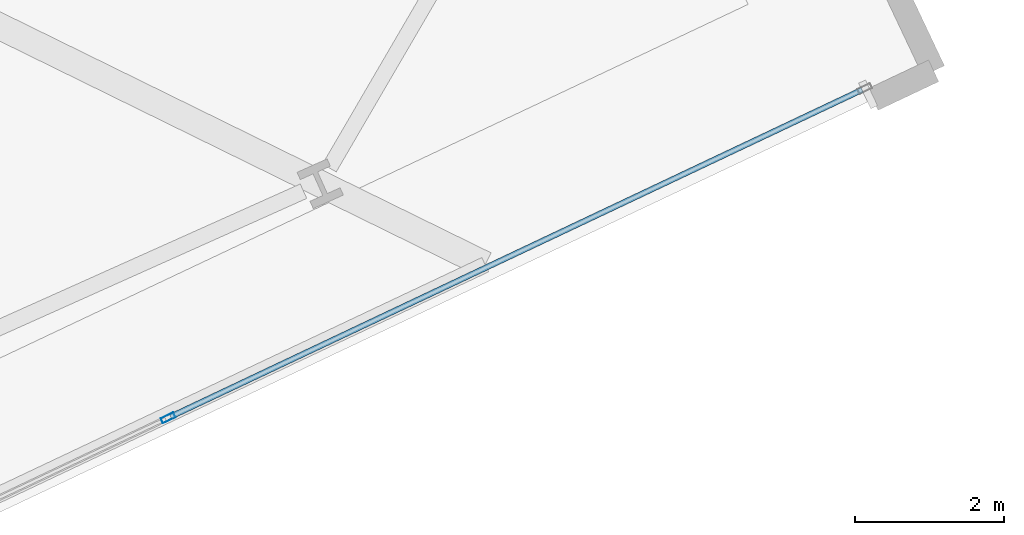
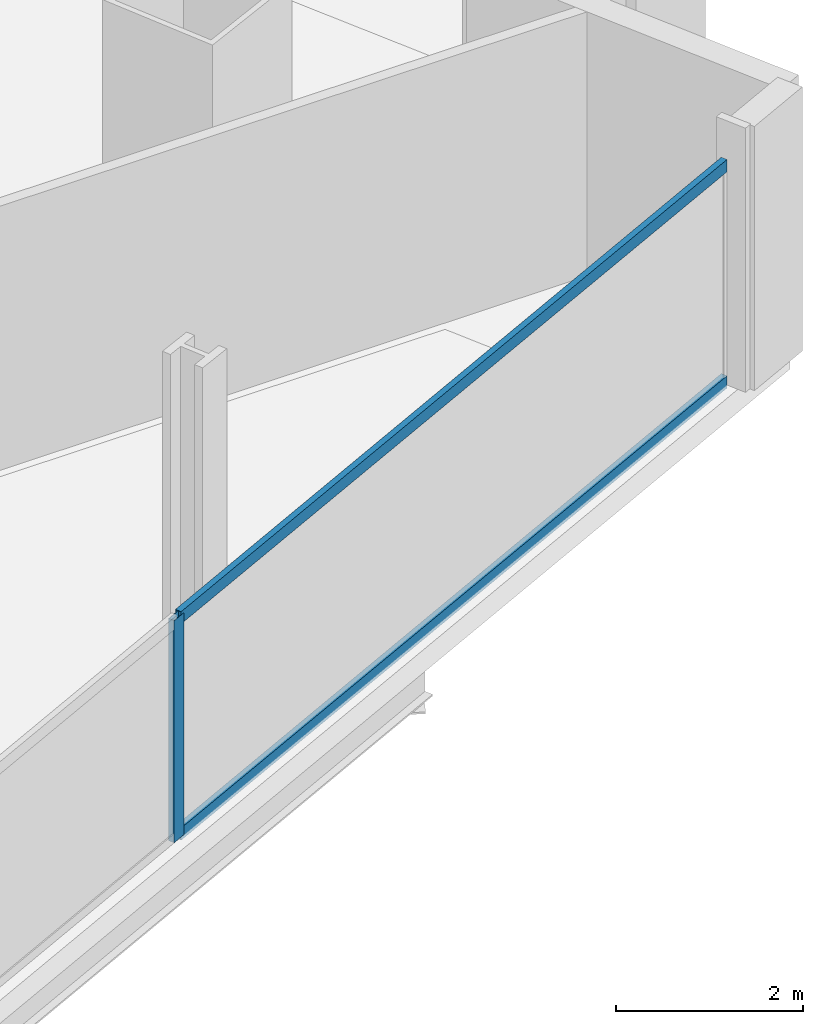
# One storey, part 9 of 34: 3 members, 1 element without a shape of its own.
"""IFC4 building model written with IfcOpenShell, lengths in metres."""

from ifc_helpers import new_model, si_unit, direction, frame, origin, origin_2d, place, context, subcontext, project, spatial, hollow_rectangle, extrude, material, material_profile, profile_set, type_object, element, aggregate, save


model = new_model("IFC4")

# Units and contexts
model_context = context("Model", 3, precision=1e-05, world=origin(), true_north=direction((0.0, 1.0)))
body_context = subcontext(model_context, "Body", "Model", "MODEL_VIEW")
ifc_project = project(units=[si_unit("LENGTHUNIT", "METRE"), si_unit("AREAUNIT", "SQUARE_METRE"), si_unit("VOLUMEUNIT", "CUBIC_METRE"), si_unit("PLANEANGLEUNIT", "RADIAN"), si_unit("MASSUNIT", "GRAM", prefix="KILO")], contexts=[model_context])

# Site, building, storey
site_placement = place(None, origin())
site = spatial("IfcSite", under=ifc_project, at=site_placement, CompositionType="ELEMENT")
building_placement = place(site_placement, origin())
building = spatial("IfcBuilding", under=site, at=building_placement, Name="Haldenkirk Collegiate Tower", CompositionType="ELEMENT")
storey_placement = place(building_placement, frame((0.0, 0.0, 112.949951171875)))
storey = spatial("IfcBuildingStorey", under=building, at=storey_placement, Name="L27", CompositionType="ELEMENT", Elevation=112.949951171875)

# Curtain wall, members
ifc_material = material(Name="Anodised architectural bronze aluminium", Category="aluminium")
curtain_wall_type = type_object("IfcCurtainWallType", Name="CW-SYS2-CONCAVE", PredefinedType="USERDEFINED", material=ifc_material)
curtain_wall_placement = place(storey_placement, origin())
curtain_wall = element("IfcCurtainWall", 1, at=curtain_wall_placement, inside=storey, type_object=curtain_wall_type, Name="L27 South concave recessed bronze-anodised curtain wall", ObjectType="UNITISED CURTAIN WALL", PredefinedType="USERDEFINED")
ifc_material_profile_1 = material_profile(ifc_material, hollow_rectangle(XDim=0.074951171875, YDim=0.18994140625, WallThickness=0.0048828125, at=origin_2d()), Name="CW-MUL-02")
ifc_profile_set_1 = profile_set([ifc_material_profile_1], Name="Anodised architectural bronze aluminium")
member_type_1 = type_object("IfcMemberType", Name="CW-MUL-02", PredefinedType="MULLION", material=ifc_profile_set_1)
member_1_placement = place(storey_placement, frame((55.698486328125, 8.604736328125, 0.0), z_axis=(0.0, 0.0, 1.0), x_axis=(0.42735906226, -0.904081982955, 0.0)))
member_1 = element("IfcMember", 2, at=member_1_placement, type_object=member_type_1, Name="CW-02 mullion 2", PredefinedType="MULLION", context=body_context, shape_type="SweptSolid", body=[
    extrude(hollow_rectangle(XDim=0.074951171875, YDim=0.18994140625, WallThickness=0.0048828125, at=origin_2d()), origin(), (0.0, 0.0, 1.0), 2.901123046875),
])
ifc_material_profile_2 = material_profile(ifc_material, hollow_rectangle(XDim=0.074951171875, YDim=0.159912109375, WallThickness=0.0048828125, at=origin_2d()), Name="CW-TRN-02")
ifc_profile_set_2 = profile_set([ifc_material_profile_2], Name="Anodised architectural bronze aluminium")
member_type_2 = type_object("IfcMemberType", Name="CW-TRN-02", PredefinedType="USERDEFINED", material=ifc_profile_set_2)
member_2_placement = place(storey_placement, frame((65.010498046875, 13.006591796875, 0.03759765625), z_axis=(-0.904081959584, -0.427359111701, 0.0), x_axis=(0.427359111701, -0.904081959584, 0.0)))
member_2 = element("IfcMember", 3, at=member_2_placement, type_object=member_type_2, Name="CW-02 transom 1.1", ObjectType="TRANSOM", PredefinedType="USERDEFINED", context=body_context, shape_type="SweptSolid", body=[
    extrude(hollow_rectangle(XDim=0.074951171875, YDim=0.159912109375, WallThickness=0.0048828125, at=origin_2d()), origin(), (0.0, 0.0, 1.0), 10.262451171875),
])
member_3_placement = place(storey_placement, frame((65.010498046875, 13.006591796875, 2.863525390625), z_axis=(-0.904081959584, -0.427359111701, 0.0), x_axis=(0.427359111701, -0.904081959584, 0.0)))
member_3 = element("IfcMember", 4, at=member_3_placement, type_object=member_type_2, Name="CW-02 transom 1.2", ObjectType="TRANSOM", PredefinedType="USERDEFINED", context=body_context, shape_type="SweptSolid", body=[
    extrude(hollow_rectangle(XDim=0.074951171875, YDim=0.159912109375, WallThickness=0.0048828125, at=origin_2d()), origin(), (0.0, 0.0, 1.0), 10.262451171875),
])
aggregate(curtain_wall, [member_1, member_2, member_3])

save(model, "model.ifc")
